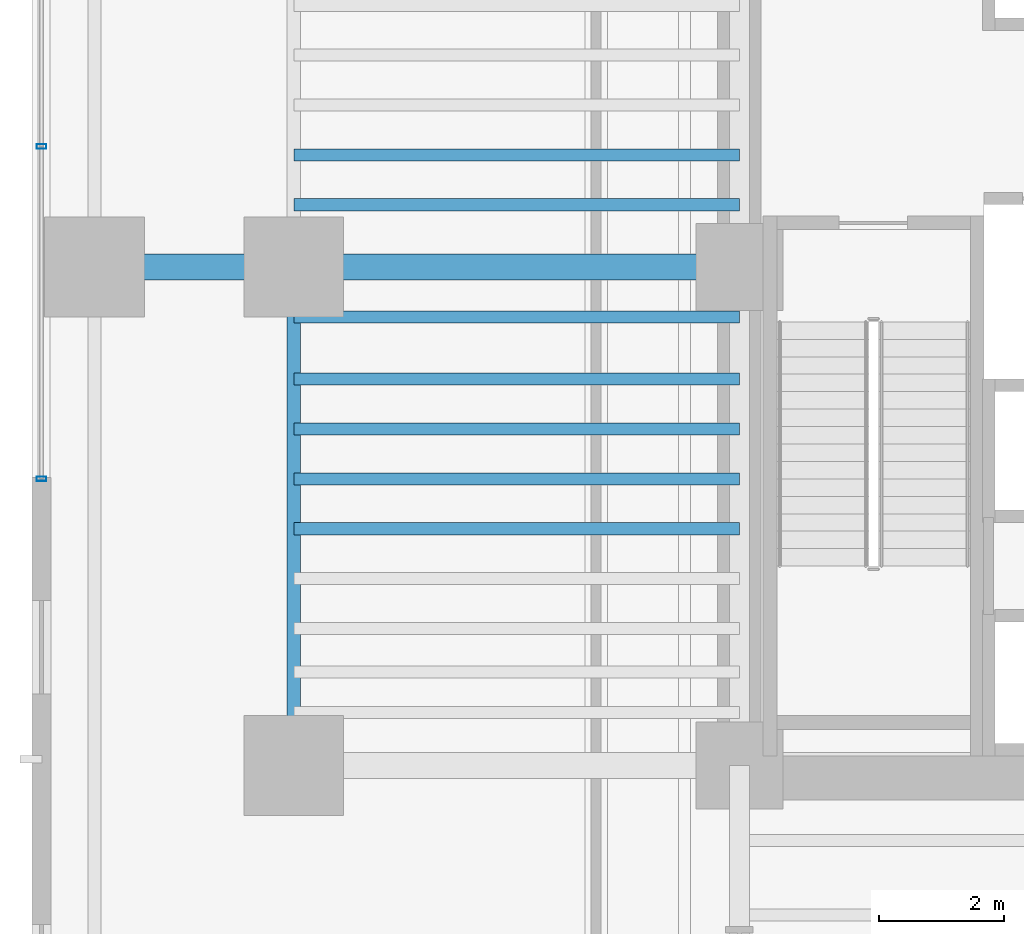
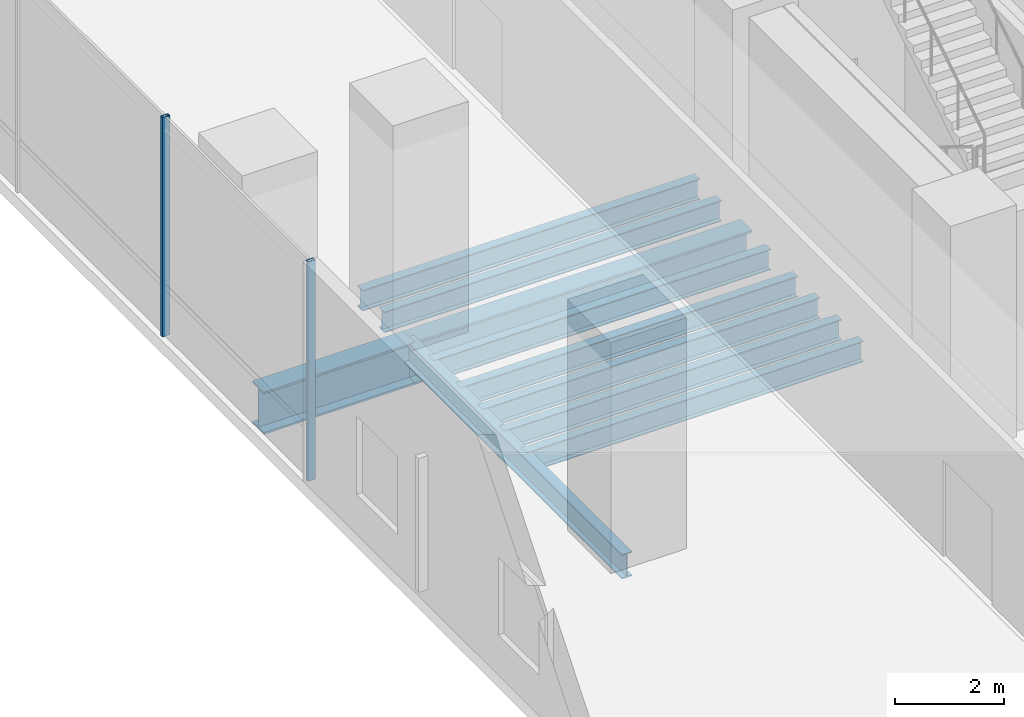
# One storey, part 2 of 39: 10 beams, 2 members, 1 element without a shape of its own.
"""IFC4 building model written with IfcOpenShell, lengths in metres."""

from ifc_helpers import new_model, si_unit, direction, frame, origin, origin_2d, place, context, subcontext, project, spatial, hollow_rectangle, i_section, extrude, source, transform, mapped, material, material_profile, profile_set, type_object, element, aggregate, save


model = new_model("IFC4")

# Units and contexts
model_context = context("Model", 3, precision=1e-05, world=origin(), true_north=direction((0.0, 1.0)))
body_context = subcontext(model_context, "Body", "Model", "MODEL_VIEW")
ifc_project = project(units=[si_unit("LENGTHUNIT", "METRE"), si_unit("AREAUNIT", "SQUARE_METRE"), si_unit("VOLUMEUNIT", "CUBIC_METRE"), si_unit("PLANEANGLEUNIT", "RADIAN"), si_unit("MASSUNIT", "GRAM", prefix="KILO")], contexts=[model_context])

# Site, building, storey
site_placement = place(None, origin())
site = spatial("IfcSite", under=ifc_project, at=site_placement, CompositionType="ELEMENT")
building_placement = place(site_placement, origin())
building = spatial("IfcBuilding", under=site, at=building_placement, Name="Valdorenza Pilgrim Sanctuary Tower", CompositionType="ELEMENT")
storey_placement = place(building_placement, frame((0.0, 0.0, 10.39990234375)))
storey = spatial("IfcBuildingStorey", under=building, at=storey_placement, Name="L02", CompositionType="ELEMENT", Elevation=10.39990234375)

# Beams
ifc_material_1 = material(Name="Steel ASTM A992 Grade 50", Category="steel")
ifc_material_profile_1 = material_profile(ifc_material_1, i_section(OverallWidth=0.423095703125, OverallDepth=0.947998046875, WebThickness=0.02392578125, FlangeThickness=0.042724609375, at=origin_2d()), Name="W36X302")
ifc_profile_set_1 = profile_set([ifc_material_profile_1], Name="Steel ASTM A992 Grade 50")
beam_type_1 = type_object("IfcBeamType", Name="STR-BM-GRD-W36A", PredefinedType="BEAM", material=ifc_profile_set_1)
shared_shape_1 = source(origin(), body_context, "Body", "SweptSolid", [
    extrude(i_section(OverallWidth=0.423095703125, OverallDepth=0.947998046875, WebThickness=0.02392578125, FlangeThickness=0.042724609375, at=origin_2d()), origin(), (0.0, 0.0, 1.0), 7.150146484375),
])
beam_1_placement = place(storey_placement, frame((-29.800048828125, -2.60009765625, -0.75390625), z_axis=(1.0, 0.0, 0.0), x_axis=(0.0, 1.0, 0.0)))
element("IfcBeam", 1, at=beam_1_placement, inside=storey, type_object=beam_type_1, Name="L02 Floor Girder WA-XW-M0", PredefinedType="BEAM", context=body_context, shape_type="MappedRepresentation", body=[
    mapped(shared_shape_1, transform((0.0, 0.0, 0.0), x_axis=(1.0, 0.0, 0.0), y_axis=(0.0, 1.0, 0.0), z_axis=(0.0, 0.0, 1.0), scale=1.0)),
])
ifc_material_profile_2 = material_profile(ifc_material_1, i_section(OverallWidth=0.214111328125, OverallDepth=0.549072265625, WebThickness=0.0146484375, FlangeThickness=0.023681640625, at=origin_2d()), Name="W21X93")
ifc_profile_set_2 = profile_set([ifc_material_profile_2], Name="Steel ASTM A992 Grade 50")
beam_type_2 = type_object("IfcBeamType", Name="STR-BM-SPN-W21A", PredefinedType="SPANDREL", material=ifc_profile_set_2)
shared_shape_2 = source(origin(), body_context, "Body", "SweptSolid", [
    extrude(i_section(OverallWidth=0.214111328125, OverallDepth=0.549072265625, WebThickness=0.0146484375, FlangeThickness=0.023681640625, at=origin_2d()), origin(), (0.0, 0.0, 1.0), 8.0),
])
beam_2_placement = place(storey_placement, frame((-29.800048828125, -10.60009765625, -0.554443359375), z_axis=(0.0, 1.0, 0.0), x_axis=(-1.0, 0.0, 0.0)))
element("IfcBeam", 2, at=beam_2_placement, inside=storey, type_object=beam_type_2, Name="L02 Spandrel Beam WA-W-S1M0", PredefinedType="SPANDREL", context=body_context, shape_type="MappedRepresentation", body=[
    mapped(shared_shape_2, transform((0.0, 0.0, 0.0), x_axis=(1.0, 0.0, 0.0), y_axis=(0.0, 1.0, 0.0), z_axis=(0.0, 0.0, 1.0), scale=1.0)),
])
ifc_material_profile_3 = material_profile(ifc_material_1, i_section(OverallWidth=0.193115234375, OverallDepth=0.466064453125, WebThickness=0.011474609375, FlangeThickness=0.01904296875, at=origin_2d()), Name="W18X65")
ifc_profile_set_3 = profile_set([ifc_material_profile_3], Name="Steel ASTM A992 Grade 50")
beam_type_3 = type_object("IfcBeamType", Name="STR-BM-JST-W18A", PredefinedType="JOIST", material=ifc_profile_set_3)
shared_shape_3 = source(origin(), body_context, "Body", "SweptSolid", [
    extrude(i_section(OverallWidth=0.193115234375, OverallDepth=0.466064453125, WebThickness=0.011474609375, FlangeThickness=0.01904296875, at=origin_2d()), origin(), (0.0, 0.0, 1.0), 7.150146484375),
])
for number, where, z_axis, x_axis, name in (
    (3, (-29.800048828125, -6.800048828125, -0.512939453125), (1.0, 0.0, 0.0), (0.0, 1.0, 0.0), "L02 Composite Floor Joist JST-WA-5"),
    (4, (-29.800048828125, -6.0, -0.512939453125), (1.0, 0.0, 0.0), (0.0, 1.0, 0.0), "L02 Composite Floor Joist JST-WA-6"),
    (5, (-29.800048828125, -5.199951171875, -0.512939453125), (1.0, 0.0, 0.0), (0.0, 1.0, 0.0), "L02 Composite Floor Joist JST-WA-7"),
    (6, (-29.800048828125, -4.39990234375, -0.512939453125), (1.0, 0.0, 0.0), (0.0, 1.0, 0.0), "L02 Composite Floor Joist JST-WA-8"),
    (7, (-29.800048828125, -3.39990234375, -0.512939453125), (1.0, 0.0, 0.0), (0.0, 1.0, 0.0), "L02 Composite Floor Joist JST-WA-9"),
    (8, (-29.800048828125, -1.60009765625, -0.512939453125), (1.0, 0.0, 0.0), (0.0, 1.0, 0.0), "L02 Composite Floor Joist JST-WA-10"),
    (9, (-29.800048828125, -0.800048828125, -0.512939453125), (1.0, 0.0, 0.0), (0.0, 1.0, 0.0), "L02 Composite Floor Joist JST-WA-11"),
):
    element("IfcBeam", number, at=place(storey_placement, frame(where, z_axis=z_axis, x_axis=x_axis)), inside=storey, type_object=beam_type_3, Name=name, PredefinedType="JOIST", context=body_context, shape_type="MappedRepresentation", body=[
        mapped(shared_shape_3, transform((0.0, 0.0, 0.0), x_axis=(1.0, 0.0, 0.0), y_axis=(0.0, 1.0, 0.0), z_axis=(0.0, 0.0, 1.0), scale=1.0)),
    ])
shared_shape_4 = source(origin(), body_context, "Body", "SweptSolid", [
    extrude(i_section(OverallWidth=0.423095703125, OverallDepth=0.947998046875, WebThickness=0.02392578125, FlangeThickness=0.042724609375, at=origin_2d()), origin(), (0.0, 0.0, 1.0), 3.199951171875),
])
beam_3_placement = place(storey_placement, frame((-33.0, -2.60009765625, -0.75390625), z_axis=(1.0, 0.0, 0.0), x_axis=(0.0, 1.0, 0.0)))
element("IfcBeam", 10, at=beam_3_placement, inside=storey, type_object=beam_type_1, Name="L02 Floor Girder POD-W-M0", PredefinedType="BEAM", context=body_context, shape_type="MappedRepresentation", body=[
    mapped(shared_shape_4, transform((0.0, 0.0, 0.0), x_axis=(1.0, 0.0, 0.0), y_axis=(0.0, 1.0, 0.0), z_axis=(0.0, 0.0, 1.0), scale=1.0)),
])

# Curtain wall, members
ifc_material_2 = material(Name="Curtain-wall IGU glazing", Category="glass")
curtain_wall_type = type_object("IfcCurtainWallType", Name="CW-SYS-01", PredefinedType="NOTDEFINED", material=ifc_material_2)
curtain_wall_placement = place(storey_placement, origin())
curtain_wall = element("IfcCurtainWall", 11, at=curtain_wall_placement, inside=storey, type_object=curtain_wall_type, Name="L02 Curtain Wall CW-POD-L02-WW", PredefinedType="NOTDEFINED")
ifc_material_3 = material(Name="Anodised aluminium AW-6060", Category="aluminium")
ifc_material_profile_4 = material_profile(ifc_material_3, hollow_rectangle(XDim=0.074951171875, YDim=0.159912109375, WallThickness=0.00390625, at=origin_2d()), Name="ALU-M 160x75x4")
ifc_profile_set_4 = profile_set([ifc_material_profile_4], Name="Anodised aluminium AW-6060")
member_type = type_object("IfcMemberType", Name="CW-MUL-01", PredefinedType="MULLION", material=ifc_profile_set_4)
shared_shape_5 = source(origin(), body_context, "Body", "SweptSolid", [
    extrude(hollow_rectangle(XDim=0.074951171875, YDim=0.159912109375, WallThickness=0.00390625, at=origin_2d()), origin(), (0.0, 0.0, 1.0), 4.920166015625),
])
member_1_placement = place(storey_placement, frame((-33.85009765625, -6.0, 0.0), z_axis=(0.0, 0.0, 1.0), x_axis=(0.0, 1.0, 0.0)))
member_1 = element("IfcMember", 12, at=member_1_placement, type_object=member_type, Name="CW-POD-L02-WW Mullion 1", PredefinedType="MULLION", context=body_context, shape_type="MappedRepresentation", body=[
    mapped(shared_shape_5, transform((0.0, 0.0, 0.0), x_axis=(1.0, 0.0, 0.0), y_axis=(0.0, 1.0, 0.0), z_axis=(0.0, 0.0, 1.0), scale=1.0)),
])
member_2_placement = place(storey_placement, frame((-33.85009765625, -0.666748046875, 0.0), z_axis=(0.0, 0.0, 1.0), x_axis=(0.0, 1.0, 0.0)))
member_2 = element("IfcMember", 13, at=member_2_placement, type_object=member_type, Name="CW-POD-L02-WW Mullion 2", PredefinedType="MULLION", context=body_context, shape_type="MappedRepresentation", body=[
    mapped(shared_shape_5, transform((0.0, 0.0, 0.0), x_axis=(1.0, 0.0, 0.0), y_axis=(0.0, 1.0, 0.0), z_axis=(0.0, 0.0, 1.0), scale=1.0)),
])
aggregate(curtain_wall, [member_1, member_2])

save(model, "model.ifc")
